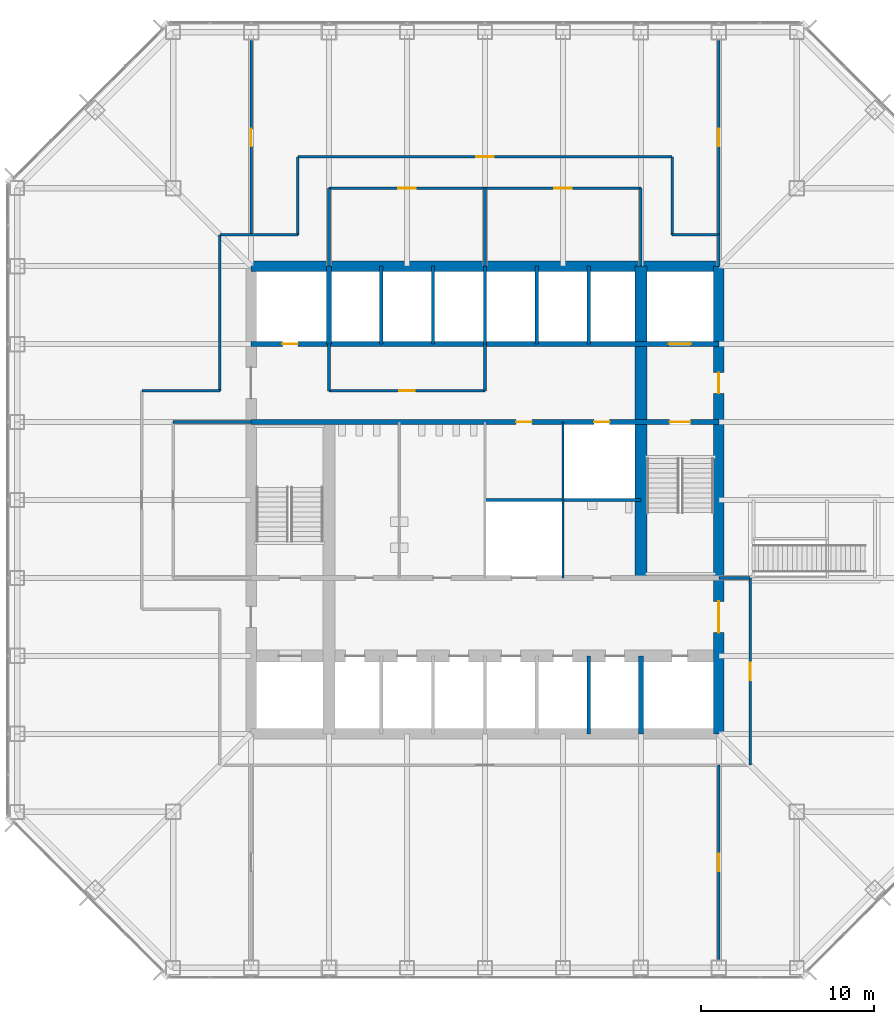
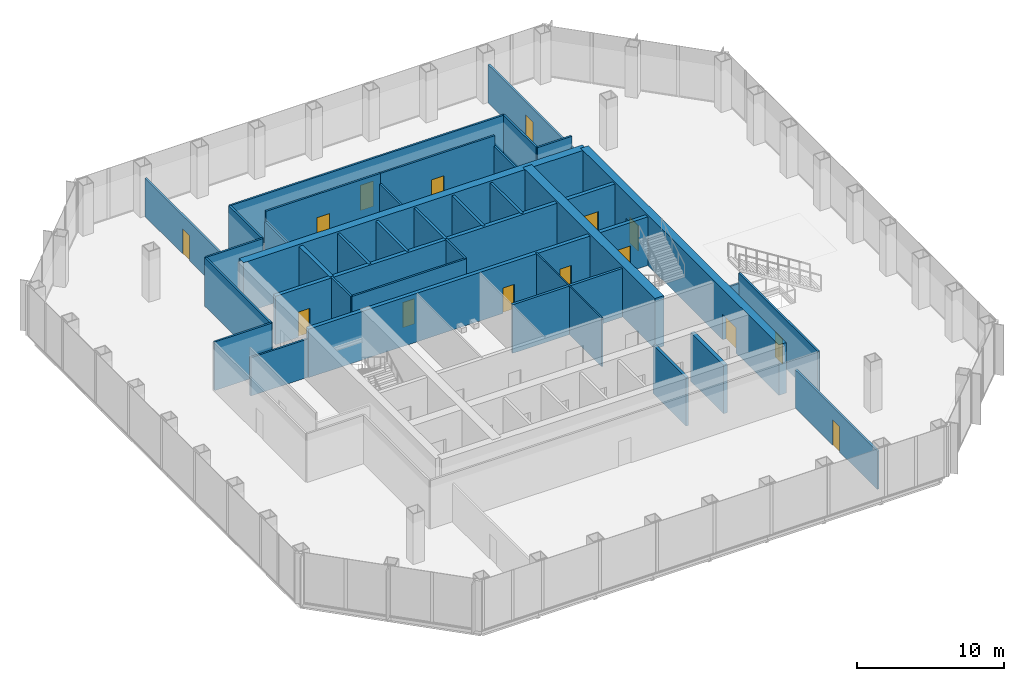
# One storey, part 9 of 12: 37 walls, 15 doors, 15 openings.
"""IFC4 building model written with IfcOpenShell, lengths in metres."""

from ifc_helpers import new_model, si_unit, direction, frame, frame_2d, origin, place, context, subcontext, project, spatial, rectangle, extrude, material, layer, layer_set, type_object, element, fill, save


model = new_model("IFC4")

# Units and contexts
model_context = context("Model", 3, precision=1e-05, world=origin(), true_north=direction((0.0, 1.0)))
body_context = subcontext(model_context, "Body", "Model", "MODEL_VIEW")
ifc_project = project(units=[si_unit("LENGTHUNIT", "METRE"), si_unit("AREAUNIT", "SQUARE_METRE"), si_unit("VOLUMEUNIT", "CUBIC_METRE"), si_unit("PLANEANGLEUNIT", "RADIAN"), si_unit("MASSUNIT", "GRAM", prefix="KILO")], contexts=[model_context])

# Site, building, storey
site_placement = place(None, origin())
site = spatial("IfcSite", under=ifc_project, at=site_placement, CompositionType="ELEMENT")
building_placement = place(site_placement, origin())
building = spatial("IfcBuilding", under=site, at=building_placement, Name="Corais Broadcast Tower", CompositionType="ELEMENT")
storey_placement = place(building_placement, frame((0.0, 0.0, 33.199951171875)))
storey = spatial("IfcBuildingStorey", under=building, at=storey_placement, Name="L06", CompositionType="ELEMENT", Elevation=33.199951171875)

# Walls
ifc_material_1 = material(Name="Concrete blockwork class A, grouted, two-hour", Category="masonry")
ifc_layer_1 = layer(ifc_material_1, 0.300048828125)
ifc_layer_set_1 = layer_set([ifc_layer_1], Name="Concrete blockwork class A, grouted, two-hour")
wall_type_1 = type_object("IfcWallType", Name="Core lobby wall 300", PredefinedType="SOLIDWALL", material=ifc_layer_set_1)
for number, where, z_axis, x_axis, name in (
    (1, (18.0, 36.0, 0.0), (0.0, 0.0, 1.0), (0.0, 1.0, 0.0), "CL1 core shaft wall X18B L06"),
    (2, (36.0, 13.5, 0.0), (0.0, 0.0, 1.0), (0.0, 1.0, 0.0), "CL1 core shaft wall X36A L06"),
):
    element("IfcWall", number, at=place(storey_placement, frame(where, z_axis=z_axis, x_axis=x_axis)), inside=storey, type_object=wall_type_1, Name=name, PredefinedType="SOLIDWALL", context=body_context, shape_type="SweptSolid", body=[
        extrude(rectangle(XDim=4.5, YDim=0.300048828125, at=frame_2d((2.25, 0.0))), origin(), (0.0, 0.0, 1.0), 4.0400390625),
    ])

# Wall, openings, doors
wall_1_placement = place(storey_placement, frame((13.5, 31.5, 0.0), z_axis=(0.0, 0.0, 1.0), x_axis=(1.0, 0.0, 0.0)))
wall_1 = element("IfcWall", 3, at=wall_1_placement, inside=storey, type_object=wall_type_1, Name="CL1 core lobby wall Y315 L06", PredefinedType="SOLIDWALL", context=body_context, shape_type="SweptSolid", body=[
    extrude(rectangle(XDim=27.0, YDim=0.300048828125, at=frame_2d((13.5, 0.0))), origin(), (0.0, 0.0, 1.0), 4.0400390625),
])
opening_1_placement = place(wall_1_placement, frame((24.14990234375, 0.0, 0.0)))
opening_1 = element("IfcOpeningElement", 4, at=opening_1_placement, cuts=wall_1, Name="Opening FD1", PredefinedType="OPENING", context=body_context, shape_type="SweptSolid", body=[
    extrude(rectangle(XDim=1.199951171875, YDim=2.10009765625, at=frame_2d((0.60009765625, 1.050048828125))), frame((0.0, 0.159912109375, 0.0), z_axis=(0.0, -1.0, 0.0), x_axis=(1.0, 0.0, 0.0)), (0.0, 0.0, 1.0), 0.320068359375),
])
opening_2_placement = place(wall_1_placement, frame((15.300048828125, 0.0, 0.0)))
opening_2 = element("IfcOpeningElement", 5, at=opening_2_placement, cuts=wall_1, Name="Opening RD1", PredefinedType="OPENING", context=body_context, shape_type="SweptSolid", body=[
    extrude(rectangle(XDim=0.89990234375, YDim=2.10009765625, at=frame_2d((0.449951171875, 1.050048828125))), frame((0.0, 0.159912109375, 0.0), z_axis=(0.0, -1.0, 0.0), x_axis=(1.0, 0.0, 0.0)), (0.0, 0.0, 1.0), 0.320068359375),
])
opening_3_placement = place(wall_1_placement, frame((19.800048828125, 0.0, 0.0)))
opening_3 = element("IfcOpeningElement", 6, at=opening_3_placement, cuts=wall_1, Name="Opening RD1", PredefinedType="OPENING", context=body_context, shape_type="SweptSolid", body=[
    extrude(rectangle(XDim=0.89990234375, YDim=2.10009765625, at=frame_2d((0.449951171875, 1.050048828125))), frame((0.0, 0.159912109375, 0.0), z_axis=(0.0, -1.0, 0.0), x_axis=(1.0, 0.0, 0.0)), (0.0, 0.0, 1.0), 0.320068359375),
])
ifc_material_2 = material(Name="Steel fire door", Category="steel")
door_type_1 = type_object("IfcDoorType", Name="Fire door 1200x2100", OperationType="SINGLE_SWING_LEFT", PredefinedType="DOOR", material=ifc_material_2)
door_1_placement = place(opening_1_placement, origin())
door_1 = element("IfcDoor", 7, at=door_1_placement, inside=storey, type_object=door_type_1, Name="FD1 stair B door L06", OperationType="SINGLE_SWING_RIGHT", OverallHeight=2.10009765625, OverallWidth=1.199951171875, PredefinedType="DOOR", context=body_context, shape_type="SweptSolid", body=[
    extrude(rectangle(XDim=1.199951171875, YDim=2.10009765625, at=frame_2d((0.60009765625, 1.050048828125))), frame((0.0, 0.02490234375, 0.0), z_axis=(0.0, -1.0, 0.0), x_axis=(1.0, 0.0, 0.0)), (0.0, 0.0, 1.0), 0.050048828125),
])
fill(opening_1, door_1)
ifc_material_3 = material(Name="Steel fire door", Category="steel")
door_type_2 = type_object("IfcDoorType", Name="Riser door 900x2100", OperationType="SINGLE_SWING_LEFT", PredefinedType="DOOR", material=ifc_material_3)
door_2_placement = place(opening_2_placement, origin())
door_2 = element("IfcDoor", 8, at=door_2_placement, inside=storey, type_object=door_type_2, Name="RD1 tea point door L06", OperationType="SINGLE_SWING_RIGHT", OverallHeight=2.10009765625, OverallWidth=0.89990234375, PredefinedType="DOOR", context=body_context, shape_type="SweptSolid", body=[
    extrude(rectangle(XDim=0.89990234375, YDim=2.10009765625, at=frame_2d((0.449951171875, 1.050048828125))), frame((0.0, 0.02490234375, 0.0), z_axis=(0.0, -1.0, 0.0), x_axis=(1.0, 0.0, 0.0)), (0.0, 0.0, 1.0), 0.050048828125),
])
fill(opening_2, door_2)
door_3_placement = place(opening_3_placement, origin())
door_3 = element("IfcDoor", 9, at=door_3_placement, inside=storey, type_object=door_type_2, Name="RD1 riser door L06", OperationType="SINGLE_SWING_RIGHT", OverallHeight=2.10009765625, OverallWidth=0.89990234375, PredefinedType="DOOR", context=body_context, shape_type="SweptSolid", body=[
    extrude(rectangle(XDim=0.89990234375, YDim=2.10009765625, at=frame_2d((0.449951171875, 1.050048828125))), frame((0.0, 0.02490234375, 0.0), z_axis=(0.0, -1.0, 0.0), x_axis=(1.0, 0.0, 0.0)), (0.0, 0.0, 1.0), 0.050048828125),
])
fill(opening_3, door_3)

# Wall
ifc_material_4 = material(Name="Concrete C50/60", Category="concrete")
ifc_layer_2 = layer(ifc_material_4, 0.699951171875)
ifc_layer_set_2 = layer_set([ifc_layer_2], Name="Concrete C50/60")
wall_type_2 = type_object("IfcWallType", Name="Core spine wall 700", PredefinedType="SHEAR", material=ifc_layer_set_2)
wall_2_placement = place(storey_placement, frame((36.0, 22.5, 0.0), z_axis=(0.0, 0.0, 1.0), x_axis=(0.0, 1.0, 0.0)))
element("IfcWall", 10, at=wall_2_placement, inside=storey, type_object=wall_type_2, Name="CR700 core wall X36B L06", PredefinedType="SHEAR", context=body_context, shape_type="SweptSolid", body=[
    extrude(rectangle(XDim=18.0, YDim=0.699951171875, at=frame_2d((9.0, 0.0))), origin(), (0.0, 0.0, 1.0), 4.199951171875),
])

# Wall, openings, doors
ifc_material_5 = material(Name="Concrete C50/60", Category="concrete")
ifc_layer_3 = layer(ifc_material_5, 0.60009765625)
ifc_layer_set_3 = layer_set([ifc_layer_3], Name="Concrete C50/60")
wall_type_3 = type_object("IfcWallType", Name="Core wall 600", PredefinedType="SHEAR", material=ifc_layer_set_3)
wall_3_placement = place(storey_placement, frame((40.5, 13.5, 0.0), z_axis=(0.0, 0.0, 1.0), x_axis=(0.0, 1.0, 0.0)))
wall_3 = element("IfcWall", 11, at=wall_3_placement, inside=storey, type_object=wall_type_3, Name="CR600 core wall E L06", PredefinedType="SHEAR", context=body_context, shape_type="SweptSolid", body=[
    extrude(rectangle(XDim=27.0, YDim=0.60009765625, at=frame_2d((13.5, 0.0))), origin(), (0.0, 0.0, 1.0), 4.199951171875),
])
opening_4_placement = place(wall_3_placement, frame((5.85009765625, 0.0, 0.0)))
opening_4 = element("IfcOpeningElement", 12, at=opening_4_placement, cuts=wall_3, Name="Opening FD2", PredefinedType="OPENING", context=body_context, shape_type="SweptSolid", body=[
    extrude(rectangle(XDim=1.800048828125, YDim=2.10009765625, at=frame_2d((0.89990234375, 1.050048828125))), frame((0.0, 0.31005859375, 0.0), z_axis=(0.0, -1.0, 0.0), x_axis=(1.0, 0.0, 0.0)), (0.0, 0.0, 1.0), 0.6201171875),
])
opening_5_placement = place(wall_3_placement, frame((19.64990234375, 0.0, 0.0)))
opening_5 = element("IfcOpeningElement", 13, at=opening_5_placement, cuts=wall_3, Name="Opening FD1", PredefinedType="OPENING", context=body_context, shape_type="SweptSolid", body=[
    extrude(rectangle(XDim=1.199951171875, YDim=2.10009765625, at=frame_2d((0.60009765625, 1.050048828125))), frame((0.0, 0.31005859375, 0.0), z_axis=(0.0, -1.0, 0.0), x_axis=(1.0, 0.0, 0.0)), (0.0, 0.0, 1.0), 0.6201171875),
])
door_4_placement = place(opening_5_placement, origin())
door_4 = element("IfcDoor", 14, at=door_4_placement, inside=storey, type_object=door_type_1, Name="FD1 fire lobby B door L06", OperationType="SINGLE_SWING_RIGHT", OverallHeight=2.10009765625, OverallWidth=1.199951171875, PredefinedType="DOOR", context=body_context, shape_type="SweptSolid", body=[
    extrude(rectangle(XDim=1.199951171875, YDim=2.10009765625, at=frame_2d((0.60009765625, 1.050048828125))), frame((0.0, 0.02490234375, 0.0), z_axis=(0.0, -1.0, 0.0), x_axis=(1.0, 0.0, 0.0)), (0.0, 0.0, 1.0), 0.050048828125),
])
fill(opening_5, door_4)
ifc_material_6 = material(Name="Steel fire door", Category="steel")
door_type_3 = type_object("IfcDoorType", Name="Fire door pair 1800x2100", OperationType="DOUBLE_DOOR_SINGLE_SWING", PredefinedType="DOOR", material=ifc_material_6)
door_5_placement = place(opening_4_placement, origin())
door_5 = element("IfcDoor", 15, at=door_5_placement, inside=storey, type_object=door_type_3, Name="FD2 lift lobby door L06", OperationType="SINGLE_SWING_LEFT", OverallHeight=2.10009765625, OverallWidth=1.800048828125, PredefinedType="DOOR", context=body_context, shape_type="SweptSolid", body=[
    extrude(rectangle(XDim=1.800048828125, YDim=2.10009765625, at=frame_2d((0.89990234375, 1.050048828125))), frame((0.0, 0.02490234375, 0.0), z_axis=(0.0, -1.0, 0.0), x_axis=(1.0, 0.0, 0.0)), (0.0, 0.0, 1.0), 0.050048828125),
])
fill(opening_4, door_5)

# Wall
wall_4_placement = place(storey_placement, frame((40.5, 40.5, 0.0), z_axis=(0.0, 0.0, 1.0), x_axis=(-1.0, 0.0, 0.0)))
element("IfcWall", 16, at=wall_4_placement, inside=storey, type_object=wall_type_3, Name="CR600 core wall N L06", PredefinedType="SHEAR", context=body_context, shape_type="SweptSolid", body=[
    extrude(rectangle(XDim=27.0, YDim=0.60009765625, at=frame_2d((13.5, 0.0))), origin(), (0.0, 0.0, 1.0), 4.199951171875),
])

# Wall, openings, doors
ifc_material_7 = material(Name="Concrete blockwork class A, grouted, four-hour", Category="masonry")
ifc_layer_4 = layer(ifc_material_7, 0.300048828125)
ifc_layer_set_4 = layer_set([ifc_layer_4], Name="Concrete blockwork class A, grouted, four-hour")
wall_type_4 = type_object("IfcWallType", Name="Emergency lift shaft wall 300", PredefinedType="SOLIDWALL", material=ifc_layer_set_4)
wall_5_placement = place(storey_placement, frame((13.5, 36.0, 0.0), z_axis=(0.0, 0.0, 1.0), x_axis=(1.0, 0.0, 0.0)))
wall_5 = element("IfcWall", 17, at=wall_5_placement, inside=storey, type_object=wall_type_4, Name="LS1 core lobby wall Y36 L06", PredefinedType="SOLIDWALL", context=body_context, shape_type="SweptSolid", body=[
    extrude(rectangle(XDim=27.0, YDim=0.300048828125, at=frame_2d((13.5, 0.0))), origin(), (0.0, 0.0, 1.0), 4.0400390625),
])
opening_6_placement = place(wall_5_placement, frame((1.800048828125, 0.0, 0.0)))
opening_6 = element("IfcOpeningElement", 18, at=opening_6_placement, cuts=wall_5, Name="Opening RD1", PredefinedType="OPENING", context=body_context, shape_type="SweptSolid", body=[
    extrude(rectangle(XDim=0.89990234375, YDim=2.10009765625, at=frame_2d((0.449951171875, 1.050048828125))), frame((0.0, 0.159912109375, 0.0), z_axis=(0.0, -1.0, 0.0), x_axis=(1.0, 0.0, 0.0)), (0.0, 0.0, 1.0), 0.320068359375),
])
opening_7_placement = place(wall_5_placement, frame((24.10009765625, 0.0, 0.0)))
opening_7 = element("IfcOpeningElement", 19, at=opening_7_placement, cuts=wall_5, Name="Opening LD2", PredefinedType="OPENING", context=body_context, shape_type="SweptSolid", body=[
    extrude(rectangle(XDim=1.300048828125, YDim=2.199951171875, at=frame_2d((0.64990234375, 1.10009765625))), frame((0.0, 0.159912109375, 0.0), z_axis=(0.0, -1.0, 0.0), x_axis=(1.0, 0.0, 0.0)), (0.0, 0.0, 1.0), 0.320068359375),
])
ifc_material_8 = material(Name="Stainless steel lift door", Category="steel")
door_type_4 = type_object("IfcDoorType", Name="Lift landing door 1300x2200", OperationType="SLIDING_TO_LEFT", PredefinedType="DOOR", material=ifc_material_8)
door_6_placement = place(opening_7_placement, origin())
door_6 = element("IfcDoor", 20, at=door_6_placement, inside=storey, type_object=door_type_4, Name="LD2 FL2 landing door L06", OperationType="SLIDING_TO_LEFT", OverallHeight=2.199951171875, OverallWidth=1.300048828125, PredefinedType="DOOR", context=body_context, shape_type="SweptSolid", body=[
    extrude(rectangle(XDim=1.300048828125, YDim=2.199951171875, at=frame_2d((0.64990234375, 1.10009765625))), frame((0.0, 0.02490234375, 0.0), z_axis=(0.0, -1.0, 0.0), x_axis=(1.0, 0.0, 0.0)), (0.0, 0.0, 1.0), 0.050048828125),
])
fill(opening_7, door_6)
door_7_placement = place(opening_6_placement, origin())
door_7 = element("IfcDoor", 21, at=door_7_placement, inside=storey, type_object=door_type_2, Name="RD1 riser door L06", OperationType="SINGLE_SWING_LEFT", OverallHeight=2.10009765625, OverallWidth=0.89990234375, PredefinedType="DOOR", context=body_context, shape_type="SweptSolid", body=[
    extrude(rectangle(XDim=0.89990234375, YDim=2.10009765625, at=frame_2d((0.449951171875, 1.050048828125))), frame((0.0, 0.02490234375, 0.0), z_axis=(0.0, -1.0, 0.0), x_axis=(1.0, 0.0, 0.0)), (0.0, 0.0, 1.0), 0.050048828125),
])
fill(opening_6, door_7)

# Wall, opening, door
ifc_material_9 = material(Name="Two layers of fire-rated gypsum board each side on steel studs", Category="steel")
ifc_layer_5 = layer(ifc_material_9, 0.14990234375)
ifc_layer_set_5 = layer_set([ifc_layer_5], Name="Two layers of fire-rated gypsum board each side on steel studs")
wall_type_5 = type_object("IfcWallType", Name="Fire-rated partition 150 EI 60", PredefinedType="PARTITIONING", material=ifc_layer_set_5)
wall_6_placement = place(storey_placement, frame((18.0, 33.300048828125, 0.0), z_axis=(0.0, 0.0, 1.0), x_axis=(1.0, 0.0, 0.0)))
wall_6 = element("IfcWall", 22, at=wall_6_placement, inside=storey, type_object=wall_type_5, Name="IW7 partition L06", PredefinedType="PARTITIONING", context=body_context, shape_type="SweptSolid", body=[
    extrude(rectangle(XDim=9.0, YDim=0.14990234375, at=frame_2d((4.5, 0.0))), origin(), (0.0, 0.0, 1.0), 4.0400390625),
])
opening_8_placement = place(wall_6_placement, frame((4.050048828125, 0.0, 0.0)))
opening_8 = element("IfcOpeningElement", 23, at=opening_8_placement, cuts=wall_6, Name="Opening RD1", PredefinedType="OPENING", context=body_context, shape_type="SweptSolid", body=[
    extrude(rectangle(XDim=0.89990234375, YDim=2.10009765625, at=frame_2d((0.449951171875, 1.050048828125))), frame((0.0, 0.0849609375, 0.0), z_axis=(0.0, -1.0, 0.0), x_axis=(1.0, 0.0, 0.0)), (0.0, 0.0, 1.0), 0.169921875),
])
door_8_placement = place(opening_8_placement, origin())
door_8 = element("IfcDoor", 24, at=door_8_placement, inside=storey, type_object=door_type_2, Name="RD1 it equipment room door L06", OperationType="SINGLE_SWING_LEFT", OverallHeight=2.10009765625, OverallWidth=0.89990234375, PredefinedType="DOOR", context=body_context, shape_type="SweptSolid", body=[
    extrude(rectangle(XDim=0.89990234375, YDim=2.10009765625, at=frame_2d((0.449951171875, 1.050048828125))), frame((0.0, 0.02490234375, 0.0), z_axis=(0.0, -1.0, 0.0), x_axis=(1.0, 0.0, 0.0)), (0.0, 0.0, 1.0), 0.050048828125),
])
fill(opening_8, door_8)

# Walls
for number, where, z_axis, x_axis, name in (
    (25, (18.0, 33.300048828125, 0.0), (0.0, 0.0, 1.0), (0.0, 1.0, 0.0), "IW7 partition L06"),
    (26, (27.0, 33.300048828125, 0.0), (0.0, 0.0, 1.0), (0.0, 1.0, 0.0), "IW7 partition L06"),
):
    element("IfcWall", number, at=place(storey_placement, frame(where, z_axis=z_axis, x_axis=x_axis)), inside=storey, type_object=wall_type_5, Name=name, PredefinedType="PARTITIONING", context=body_context, shape_type="SweptSolid", body=[
        extrude(rectangle(XDim=2.699951171875, YDim=0.14990234375, at=frame_2d((1.35009765625, 0.0))), origin(), (0.0, 0.0, 1.0), 4.0400390625),
    ])

# Wall, opening, door
ifc_material_10 = material(Name="Gypsum board on steel studs", Category="steel")
ifc_layer_6 = layer(ifc_material_10, 0.14990234375)
ifc_layer_set_6 = layer_set([ifc_layer_6], Name="Gypsum board on steel studs")
wall_type_6 = type_object("IfcWallType", Name="Partition 150", PredefinedType="PARTITIONING", material=ifc_layer_set_6)
wall_7_placement = place(storey_placement, frame((37.800048828125, 46.800048828125, 0.0), z_axis=(0.0, 0.0, 1.0), x_axis=(-1.0, 0.0, 0.0)))
wall_7 = element("IfcWall", 27, at=wall_7_placement, inside=storey, type_object=wall_type_6, Name="IW3 corridor wall L06", PredefinedType="PARTITIONING", context=body_context, shape_type="SweptSolid", body=[
    extrude(rectangle(XDim=21.60009765625, YDim=0.14990234375, at=frame_2d((10.800048828125, 0.0))), origin(), (0.0, 0.0, 1.0), 4.0400390625),
])
opening_9_placement = place(wall_7_placement, frame((10.300048828125, 0.0, 0.0)))
opening_9 = element("IfcOpeningElement", 28, at=opening_9_placement, cuts=wall_7, Name="Opening D1", PredefinedType="OPENING", context=body_context, shape_type="SweptSolid", body=[
    extrude(rectangle(XDim=1.0, YDim=2.10009765625, at=frame_2d((0.5, 1.050048828125))), frame((0.0, 0.0849609375, 0.0), z_axis=(0.0, -1.0, 0.0), x_axis=(1.0, 0.0, 0.0)), (0.0, 0.0, 1.0), 0.169921875),
])
ifc_material_11 = material(Name="Timber door", Category="wood")
door_type_5 = type_object("IfcDoorType", Name="Single door 1000x2100", OperationType="SINGLE_SWING_LEFT", PredefinedType="DOOR", material=ifc_material_11)
door_9_placement = place(opening_9_placement, origin())
door_9 = element("IfcDoor", 29, at=door_9_placement, inside=storey, type_object=door_type_5, Name="D1 workplace door L06", OperationType="SINGLE_SWING_LEFT", OverallHeight=2.10009765625, OverallWidth=1.0, PredefinedType="DOOR", context=body_context, shape_type="SweptSolid", body=[
    extrude(rectangle(XDim=1.0, YDim=2.10009765625, at=frame_2d((0.5, 1.050048828125))), frame((0.0, 0.02490234375, 0.0), z_axis=(0.0, -1.0, 0.0), x_axis=(1.0, 0.0, 0.0)), (0.0, 0.0, 1.0), 0.050048828125),
])
fill(opening_9, door_9)

wall_8_placement = place(storey_placement, frame((42.300048828125, 11.699951171875, 0.0), z_axis=(0.0, 0.0, 1.0), x_axis=(0.0, 1.0, 0.0)))
wall_8 = element("IfcWall", 30, at=wall_8_placement, inside=storey, type_object=wall_type_6, Name="IW3 corridor wall L06", PredefinedType="PARTITIONING", context=body_context, shape_type="SweptSolid", body=[
    extrude(rectangle(XDim=10.800048828125, YDim=0.14990234375, at=frame_2d((5.39990234375, 0.0))), origin(), (0.0, 0.0, 1.0), 4.0400390625),
])
opening_10_placement = place(wall_8_placement, frame((4.89990234375, 0.0, 0.0)))
opening_10 = element("IfcOpeningElement", 31, at=opening_10_placement, cuts=wall_8, Name="Opening D1", PredefinedType="OPENING", context=body_context, shape_type="SweptSolid", body=[
    extrude(rectangle(XDim=1.0, YDim=2.10009765625, at=frame_2d((0.5, 1.050048828125))), frame((0.0, 0.0849609375, 0.0), z_axis=(0.0, -1.0, 0.0), x_axis=(1.0, 0.0, 0.0)), (0.0, 0.0, 1.0), 0.169921875),
])
door_10_placement = place(opening_10_placement, origin())
door_10 = element("IfcDoor", 32, at=door_10_placement, inside=storey, type_object=door_type_5, Name="D1 workplace door L06", OperationType="SINGLE_SWING_LEFT", OverallHeight=2.10009765625, OverallWidth=1.0, PredefinedType="DOOR", context=body_context, shape_type="SweptSolid", body=[
    extrude(rectangle(XDim=1.0, YDim=2.10009765625, at=frame_2d((0.5, 1.050048828125))), frame((0.0, 0.02490234375, 0.0), z_axis=(0.0, -1.0, 0.0), x_axis=(1.0, 0.0, 0.0)), (0.0, 0.0, 1.0), 0.050048828125),
])
fill(opening_10, door_10)

# Walls
wall_9_placement = place(storey_placement, frame((11.699951171875, 42.300048828125, 0.0), z_axis=(0.0, 0.0, 1.0), x_axis=(0.0, -1.0, 0.0)))
element("IfcWall", 33, at=wall_9_placement, inside=storey, type_object=wall_type_6, Name="IW3 corridor wall L06", PredefinedType="PARTITIONING", context=body_context, shape_type="SweptSolid", body=[
    extrude(rectangle(XDim=9.0, YDim=0.14990234375, at=frame_2d((4.5, 0.0))), origin(), (0.0, 0.0, 1.0), 4.0400390625),
])
for number, where, z_axis, x_axis, name in (
    (34, (11.699951171875, 33.300048828125, 0.0), (0.0, 0.0, 1.0), (-1.0, 0.0, 0.0), "IW3 corridor wall L06"),
    (35, (16.199951171875, 42.300048828125, 0.0), (0.0, 0.0, 1.0), (-1.0, 0.0, 0.0), "IW3 corridor wall L06"),
    (36, (16.199951171875, 46.800048828125, 0.0), (0.0, 0.0, 1.0), (0.0, -1.0, 0.0), "IW3 corridor wall L06"),
    (37, (37.800048828125, 42.300048828125, 0.0), (0.0, 0.0, 1.0), (0.0, 1.0, 0.0), "IW3 corridor wall L06"),
):
    element("IfcWall", number, at=place(storey_placement, frame(where, z_axis=z_axis, x_axis=x_axis)), inside=storey, type_object=wall_type_6, Name=name, PredefinedType="PARTITIONING", context=body_context, shape_type="SweptSolid", body=[
        extrude(rectangle(XDim=4.5, YDim=0.14990234375, at=frame_2d((2.25, 0.0))), origin(), (0.0, 0.0, 1.0), 4.0400390625),
    ])
wall_10_placement = place(storey_placement, frame((40.5, 42.300048828125, 0.0), z_axis=(0.0, 0.0, 1.0), x_axis=(-1.0, 0.0, 0.0)))
element("IfcWall", 38, at=wall_10_placement, inside=storey, type_object=wall_type_6, Name="IW3 corridor wall L06", PredefinedType="PARTITIONING", context=body_context, shape_type="SweptSolid", body=[
    extrude(rectangle(XDim=2.699951171875, YDim=0.14990234375, at=frame_2d((1.35009765625, 0.0))), origin(), (0.0, 0.0, 1.0), 4.0400390625),
])
wall_11_placement = place(storey_placement, frame((40.5, 40.489990234375, 0.0), z_axis=(0.0, 0.0, 1.0), x_axis=(0.0, 1.0, 0.0)))
element("IfcWall", 39, at=wall_11_placement, inside=storey, type_object=wall_type_6, Name="IW3 corridor wall L06", PredefinedType="PARTITIONING", context=body_context, shape_type="SweptSolid", body=[
    extrude(rectangle(XDim=1.81005859375, YDim=0.14990234375, at=frame_2d((0.905029296875, 0.0))), origin(), (0.0, 0.0, 1.0), 3.18896484375),
])
wall_12_placement = place(storey_placement, frame((42.300048828125, 22.5, 0.0), z_axis=(0.0, 0.0, 1.0), x_axis=(-1.0, 0.0, 0.0)))
element("IfcWall", 40, at=wall_12_placement, inside=storey, type_object=wall_type_6, Name="IW3 corridor wall L06", PredefinedType="PARTITIONING", context=body_context, shape_type="SweptSolid", body=[
    extrude(rectangle(XDim=1.800048828125, YDim=0.14990234375, at=frame_2d((0.89990234375, 0.0))), origin(), (0.0, 0.0, 1.0), 3.18896484375),
])
wall_13_placement = place(storey_placement, frame((27.0, 40.5, 0.0), z_axis=(0.0, 0.0, 1.0), x_axis=(0.0, 1.0, 0.0)))
element("IfcWall", 41, at=wall_13_placement, inside=storey, type_object=wall_type_6, Name="IW3 partition L06", PredefinedType="PARTITIONING", context=body_context, shape_type="SweptSolid", body=[
    extrude(rectangle(XDim=4.5, YDim=0.14990234375, at=frame_2d((2.25, 0.0))), origin(), (0.0, 0.0, 1.0), 3.18896484375),
])

# Wall, opening, door
wall_14_placement = place(storey_placement, frame((27.0, 45.0, 0.0), z_axis=(0.0, 0.0, 1.0), x_axis=(-1.0, 0.0, 0.0)))
wall_14 = element("IfcWall", 42, at=wall_14_placement, inside=storey, type_object=wall_type_6, Name="IW3 partition L06", PredefinedType="PARTITIONING", context=body_context, shape_type="SweptSolid", body=[
    extrude(rectangle(XDim=9.0, YDim=0.14990234375, at=frame_2d((4.5, 0.0))), origin(), (0.0, 0.0, 1.0), 4.0400390625),
])
opening_11_placement = place(wall_14_placement, frame((4.0, 0.0, 0.0)))
opening_11 = element("IfcOpeningElement", 43, at=opening_11_placement, cuts=wall_14, Name="Opening D1", PredefinedType="OPENING", context=body_context, shape_type="SweptSolid", body=[
    extrude(rectangle(XDim=1.0, YDim=2.10009765625, at=frame_2d((0.5, 1.050048828125))), frame((0.0, 0.0849609375, 0.0), z_axis=(0.0, -1.0, 0.0), x_axis=(1.0, 0.0, 0.0)), (0.0, 0.0, 1.0), 0.169921875),
])
door_11_placement = place(opening_11_placement, origin())
door_11 = element("IfcDoor", 44, at=door_11_placement, inside=storey, type_object=door_type_5, Name="D1 Editorial meeting room door", OperationType="SINGLE_SWING_LEFT", OverallHeight=2.10009765625, OverallWidth=1.0, PredefinedType="DOOR", context=body_context, shape_type="SweptSolid", body=[
    extrude(rectangle(XDim=1.0, YDim=2.10009765625, at=frame_2d((0.5, 1.050048828125))), frame((0.0, 0.02490234375, 0.0), z_axis=(0.0, -1.0, 0.0), x_axis=(1.0, 0.0, 0.0)), (0.0, 0.0, 1.0), 0.050048828125),
])
fill(opening_11, door_11)

# Walls
for number, where, z_axis, x_axis, name in (
    (45, (18.0, 45.0, 0.0), (0.0, 0.0, 1.0), (0.0, -1.0, 0.0), "IW3 partition L06"),
    (46, (36.0, 40.5, 0.0), (0.0, 0.0, 1.0), (0.0, 1.0, 0.0), "IW3 partition L06"),
):
    element("IfcWall", number, at=place(storey_placement, frame(where, z_axis=z_axis, x_axis=x_axis)), inside=storey, type_object=wall_type_6, Name=name, PredefinedType="PARTITIONING", context=body_context, shape_type="SweptSolid", body=[
        extrude(rectangle(XDim=4.5, YDim=0.14990234375, at=frame_2d((2.25, 0.0))), origin(), (0.0, 0.0, 1.0), 3.18896484375),
    ])

# Wall, opening, door
wall_15_placement = place(storey_placement, frame((36.0, 45.0, 0.0), z_axis=(0.0, 0.0, 1.0), x_axis=(-1.0, 0.0, 0.0)))
wall_15 = element("IfcWall", 47, at=wall_15_placement, inside=storey, type_object=wall_type_6, Name="IW3 partition L06", PredefinedType="PARTITIONING", context=body_context, shape_type="SweptSolid", body=[
    extrude(rectangle(XDim=9.0, YDim=0.14990234375, at=frame_2d((4.5, 0.0))), origin(), (0.0, 0.0, 1.0), 4.0400390625),
])
opening_12_placement = place(wall_15_placement, frame((4.0, 0.0, 0.0)))
opening_12 = element("IfcOpeningElement", 48, at=opening_12_placement, cuts=wall_15, Name="Opening D1", PredefinedType="OPENING", context=body_context, shape_type="SweptSolid", body=[
    extrude(rectangle(XDim=1.0, YDim=2.10009765625, at=frame_2d((0.5, 1.050048828125))), frame((0.0, 0.0849609375, 0.0), z_axis=(0.0, -1.0, 0.0), x_axis=(1.0, 0.0, 0.0)), (0.0, 0.0, 1.0), 0.169921875),
])
door_12_placement = place(opening_12_placement, origin())
door_12 = element("IfcDoor", 49, at=door_12_placement, inside=storey, type_object=door_type_5, Name="D1 Edit suite door", OperationType="SINGLE_SWING_LEFT", OverallHeight=2.10009765625, OverallWidth=1.0, PredefinedType="DOOR", context=body_context, shape_type="SweptSolid", body=[
    extrude(rectangle(XDim=1.0, YDim=2.10009765625, at=frame_2d((0.5, 1.050048828125))), frame((0.0, 0.02490234375, 0.0), z_axis=(0.0, -1.0, 0.0), x_axis=(1.0, 0.0, 0.0)), (0.0, 0.0, 1.0), 0.050048828125),
])
fill(opening_12, door_12)

# Wall
wall_16_placement = place(storey_placement, frame((13.5, 31.5, 0.0), z_axis=(0.0, 0.0, 1.0), x_axis=(-1.0, 0.0, 0.0)))
element("IfcWall", 50, at=wall_16_placement, inside=storey, type_object=wall_type_6, Name="IW3 partition L06", PredefinedType="PARTITIONING", context=body_context, shape_type="SweptSolid", body=[
    extrude(rectangle(XDim=4.5, YDim=0.14990234375, at=frame_2d((2.25, 0.0))), origin(), (0.0, 0.0, 1.0), 3.18896484375),
])

# Wall, opening, door
wall_17_placement = place(storey_placement, frame((40.5, 53.530029296875, 0.0), z_axis=(0.0, 0.0, 1.0), x_axis=(0.0, -1.0, 0.0)))
wall_17 = element("IfcWall", 51, at=wall_17_placement, inside=storey, type_object=wall_type_6, Name="IW3 partition L06", PredefinedType="PARTITIONING", context=body_context, shape_type="SweptSolid", body=[
    extrude(rectangle(XDim=11.22998046875, YDim=0.14990234375, at=frame_2d((5.614990234375, 0.0))), origin(), (0.0, 0.0, 1.0), 3.18896484375),
])
opening_13_placement = place(wall_17_placement, frame((5.114990234375, 0.0, 0.0)))
opening_13 = element("IfcOpeningElement", 52, at=opening_13_placement, cuts=wall_17, Name="Opening D1", PredefinedType="OPENING", context=body_context, shape_type="SweptSolid", body=[
    extrude(rectangle(XDim=1.0, YDim=2.10009765625, at=frame_2d((0.5, 1.050048828125))), frame((0.0, 0.0849609375, 0.0), z_axis=(0.0, -1.0, 0.0), x_axis=(1.0, 0.0, 0.0)), (0.0, 0.0, 1.0), 0.169921875),
])
door_13_placement = place(opening_13_placement, origin())
door_13 = element("IfcDoor", 53, at=door_13_placement, inside=storey, type_object=door_type_5, Name="D1 team room door L06", OperationType="SINGLE_SWING_LEFT", OverallHeight=2.10009765625, OverallWidth=1.0, PredefinedType="DOOR", context=body_context, shape_type="SweptSolid", body=[
    extrude(rectangle(XDim=1.0, YDim=2.10009765625, at=frame_2d((0.5, 1.050048828125))), frame((0.0, 0.02490234375, 0.0), z_axis=(0.0, -1.0, 0.0), x_axis=(1.0, 0.0, 0.0)), (0.0, 0.0, 1.0), 0.050048828125),
])
fill(opening_13, door_13)

wall_18_placement = place(storey_placement, frame((13.5, 42.300048828125, 0.0), z_axis=(0.0, 0.0, 1.0), x_axis=(0.0, 1.0, 0.0)))
wall_18 = element("IfcWall", 54, at=wall_18_placement, inside=storey, type_object=wall_type_6, Name="IW3 partition L06", PredefinedType="PARTITIONING", context=body_context, shape_type="SweptSolid", body=[
    extrude(rectangle(XDim=11.22998046875, YDim=0.14990234375, at=frame_2d((5.614990234375, 0.0))), origin(), (0.0, 0.0, 1.0), 3.18896484375),
])
opening_14_placement = place(wall_18_placement, frame((5.114990234375, 0.0, 0.0)))
opening_14 = element("IfcOpeningElement", 55, at=opening_14_placement, cuts=wall_18, Name="Opening D1", PredefinedType="OPENING", context=body_context, shape_type="SweptSolid", body=[
    extrude(rectangle(XDim=1.0, YDim=2.10009765625, at=frame_2d((0.5, 1.050048828125))), frame((0.0, 0.0849609375, 0.0), z_axis=(0.0, -1.0, 0.0), x_axis=(1.0, 0.0, 0.0)), (0.0, 0.0, 1.0), 0.169921875),
])
door_14_placement = place(opening_14_placement, origin())
door_14 = element("IfcDoor", 56, at=door_14_placement, inside=storey, type_object=door_type_5, Name="D1 team room door L06", OperationType="SINGLE_SWING_LEFT", OverallHeight=2.10009765625, OverallWidth=1.0, PredefinedType="DOOR", context=body_context, shape_type="SweptSolid", body=[
    extrude(rectangle(XDim=1.0, YDim=2.10009765625, at=frame_2d((0.5, 1.050048828125))), frame((0.0, 0.02490234375, 0.0), z_axis=(0.0, -1.0, 0.0), x_axis=(1.0, 0.0, 0.0)), (0.0, 0.0, 1.0), 0.050048828125),
])
fill(opening_14, door_14)

wall_19_placement = place(storey_placement, frame((40.5, 0.469970703125, 0.0), z_axis=(0.0, 0.0, 1.0), x_axis=(0.0, 1.0, 0.0)))
wall_19 = element("IfcWall", 57, at=wall_19_placement, inside=storey, type_object=wall_type_6, Name="IW3 partition L06", PredefinedType="PARTITIONING", context=body_context, shape_type="SweptSolid", body=[
    extrude(rectangle(XDim=11.22998046875, YDim=0.14990234375, at=frame_2d((5.614990234375, 0.0))), origin(), (0.0, 0.0, 1.0), 3.18896484375),
])
opening_15_placement = place(wall_19_placement, frame((5.114990234375, 0.0, 0.0)))
opening_15 = element("IfcOpeningElement", 58, at=opening_15_placement, cuts=wall_19, Name="Opening D1", PredefinedType="OPENING", context=body_context, shape_type="SweptSolid", body=[
    extrude(rectangle(XDim=1.0, YDim=2.10009765625, at=frame_2d((0.5, 1.050048828125))), frame((0.0, 0.0849609375, 0.0), z_axis=(0.0, -1.0, 0.0), x_axis=(1.0, 0.0, 0.0)), (0.0, 0.0, 1.0), 0.169921875),
])
door_15_placement = place(opening_15_placement, origin())
door_15 = element("IfcDoor", 59, at=door_15_placement, inside=storey, type_object=door_type_5, Name="D1 team room door L06", OperationType="SINGLE_SWING_LEFT", OverallHeight=2.10009765625, OverallWidth=1.0, PredefinedType="DOOR", context=body_context, shape_type="SweptSolid", body=[
    extrude(rectangle(XDim=1.0, YDim=2.10009765625, at=frame_2d((0.5, 1.050048828125))), frame((0.0, 0.02490234375, 0.0), z_axis=(0.0, -1.0, 0.0), x_axis=(1.0, 0.0, 0.0)), (0.0, 0.0, 1.0), 0.050048828125),
])
fill(opening_15, door_15)

# Walls
ifc_material_12 = material(Name="Concrete blockwork class A, grouted, two-hour", Category="masonry")
ifc_layer_7 = layer(ifc_material_12, 0.199951171875)
ifc_layer_set_7 = layer_set([ifc_layer_7], Name="Concrete blockwork class A, grouted, two-hour")
wall_type_7 = type_object("IfcWallType", Name="Shaft wall 200", PredefinedType="PARTITIONING", material=ifc_layer_set_7)
for number, where, z_axis, x_axis, name in (
    (60, (21.0, 36.0, 0.0), (0.0, 0.0, 1.0), (0.0, 1.0, 0.0), "IW1 shaft wall L06"),
    (61, (24.0, 36.0, 0.0), (0.0, 0.0, 1.0), (0.0, 1.0, 0.0), "IW1 shaft wall L06"),
    (62, (27.0, 36.0, 0.0), (0.0, 0.0, 1.0), (0.0, 1.0, 0.0), "IW1 shaft wall L06"),
    (63, (30.0, 36.0, 0.0), (0.0, 0.0, 1.0), (0.0, 1.0, 0.0), "IW1 shaft wall L06"),
    (64, (33.0, 13.5, 0.0), (0.0, 0.0, 1.0), (0.0, 1.0, 0.0), "IW1 shaft wall L06"),
    (65, (33.0, 36.0, 0.0), (0.0, 0.0, 1.0), (0.0, 1.0, 0.0), "IW1 shaft wall L06"),
):
    element("IfcWall", number, at=place(storey_placement, frame(where, z_axis=z_axis, x_axis=x_axis)), inside=storey, type_object=wall_type_7, Name=name, PredefinedType="PARTITIONING", context=body_context, shape_type="SweptSolid", body=[
        extrude(rectangle(XDim=4.5, YDim=0.199951171875, at=frame_2d((2.25, 0.0))), origin(), (0.0, 0.0, 1.0), 4.0400390625),
    ])
wall_20_placement = place(storey_placement, frame((27.0, 27.0, 0.0), z_axis=(0.0, 0.0, 1.0), x_axis=(1.0, 0.0, 0.0)))
element("IfcWall", 66, at=wall_20_placement, inside=storey, type_object=wall_type_7, Name="IW1 shaft wall L06", PredefinedType="PARTITIONING", context=body_context, shape_type="SweptSolid", body=[
    extrude(rectangle(XDim=9.0, YDim=0.199951171875, at=frame_2d((4.5, 0.0))), origin(), (0.0, 0.0, 1.0), 4.0400390625),
])
ifc_material_13 = material(Name="Dense concrete blockwork class A, tiled both faces", Category="masonry")
ifc_layer_8 = layer(ifc_material_13, 0.10009765625)
ifc_layer_set_8 = layer_set([ifc_layer_8], Name="Dense concrete blockwork class A, tiled both faces")
wall_type_8 = type_object("IfcWallType", Name="Toilet wall 100", PredefinedType="PLUMBINGWALL", material=ifc_layer_set_8)
wall_21_placement = place(storey_placement, frame((31.5, 22.5, 0.0), z_axis=(0.0, 0.0, 1.0), x_axis=(0.0, 1.0, 0.0)))
element("IfcWall", 67, at=wall_21_placement, inside=storey, type_object=wall_type_8, Name="IW2 toilet wall L06", PredefinedType="PLUMBINGWALL", context=body_context, shape_type="SweptSolid", body=[
    extrude(rectangle(XDim=9.0, YDim=0.10009765625, at=frame_2d((4.5, 0.0))), origin(), (0.0, 0.0, 1.0), 4.0400390625),
])

save(model, "model.ifc")
